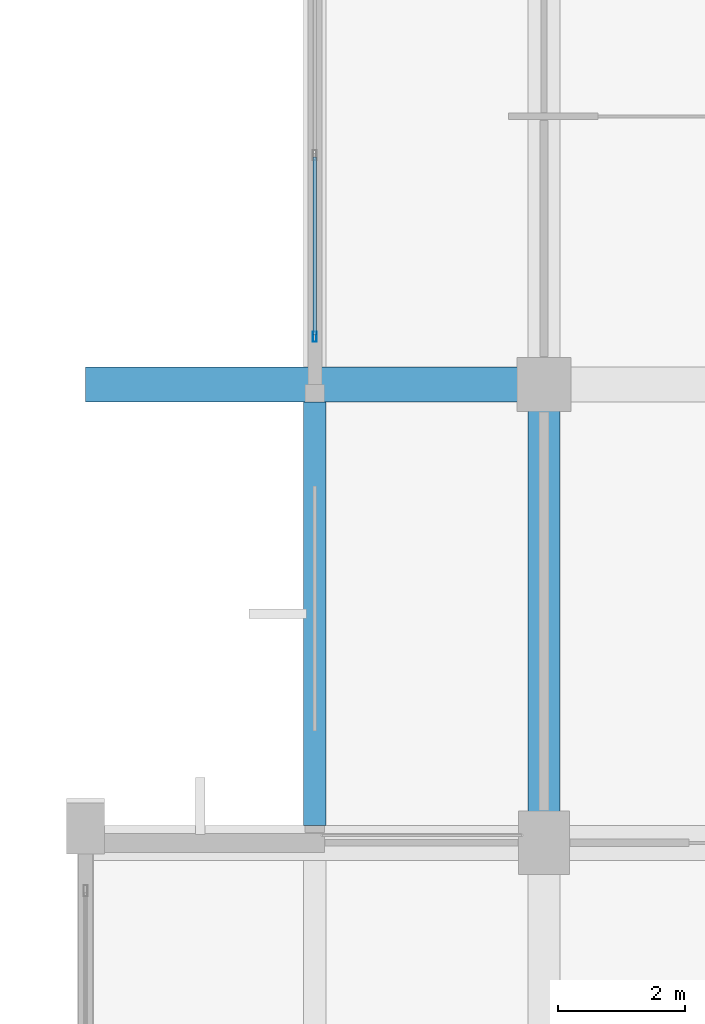
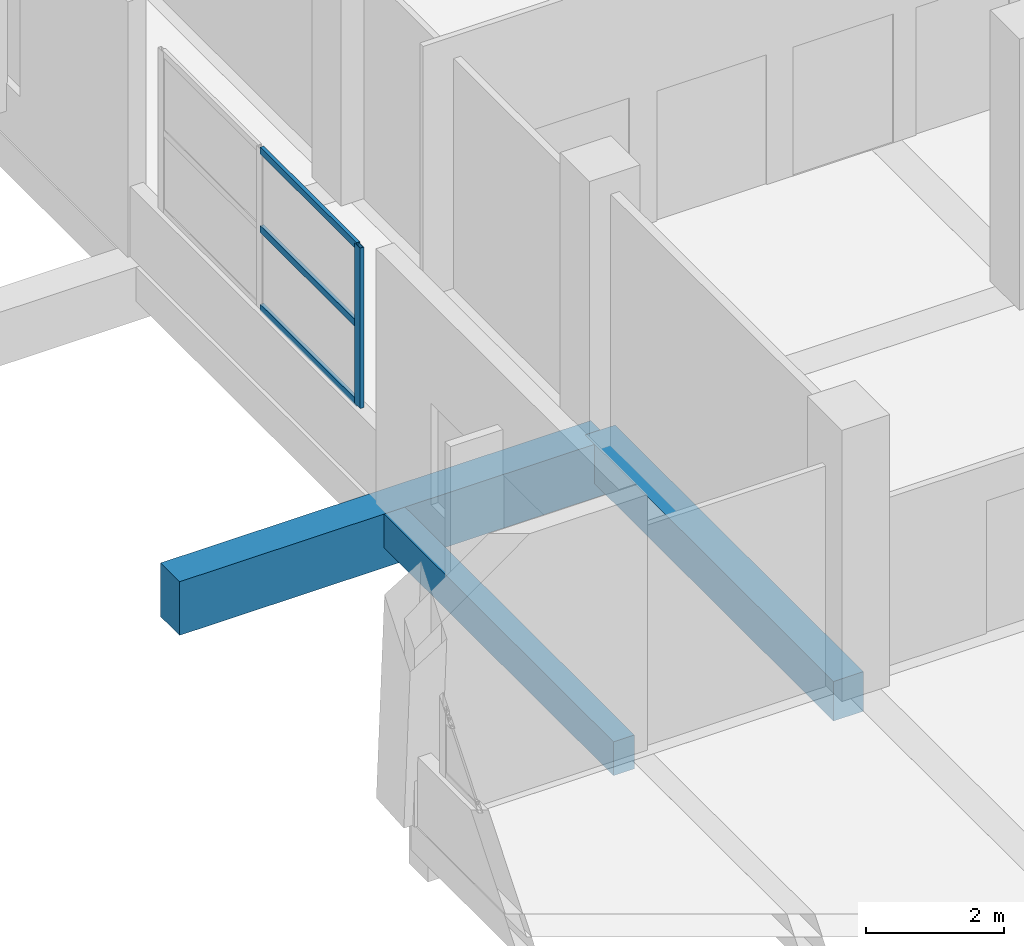
# One storey, part 15 of 181: 4 members, 3 beams, 1 element without a shape of its own.
"""IFC4 building model written with IfcOpenShell, lengths in metres."""

from ifc_helpers import new_model, si_unit, direction, frame, origin, origin_2d, place, context, subcontext, project, spatial, rectangle, hollow_rectangle, extrude, material, layer, layer_set, material_profile, profile_set, type_object, element, aggregate, save


model = new_model("IFC4")

# Units and contexts
model_context = context("Model", 3, precision=1e-05, world=origin(), true_north=direction((0.0, 1.0)))
body_context = subcontext(model_context, "Body", "Model", "MODEL_VIEW")
ifc_project = project(units=[si_unit("LENGTHUNIT", "METRE"), si_unit("AREAUNIT", "SQUARE_METRE"), si_unit("VOLUMEUNIT", "CUBIC_METRE"), si_unit("PLANEANGLEUNIT", "RADIAN"), si_unit("MASSUNIT", "GRAM", prefix="KILO")], contexts=[model_context])

# Site, building, storey
site_placement = place(None, origin())
site = spatial("IfcSite", under=ifc_project, at=site_placement, CompositionType="ELEMENT")
building_placement = place(site_placement, origin())
building = spatial("IfcBuilding", under=site, at=building_placement, Name="Seraya Terrace Polytechnic", CompositionType="ELEMENT")
storey_placement = place(building_placement, frame((0.0, 0.0, 4.800048828125)))
storey = spatial("IfcBuildingStorey", under=building, at=storey_placement, Name="L01", CompositionType="ELEMENT", Elevation=4.800048828125)

# Beams
ifc_material_1 = material(Name="Concrete C40/50", Category="concrete")
ifc_material_profile_1 = material_profile(ifc_material_1, rectangle(XDim=0.550048828125, YDim=0.949951171875, at=origin_2d()), Name="RC 550x950")
ifc_profile_set_1 = profile_set([ifc_material_profile_1], Name="Concrete C40/50")
beam_type_1 = type_object("IfcBeamType", Name="BM-03", PredefinedType="BEAM", material=ifc_profile_set_1)
beam_1_placement = place(storey_placement, frame((0.0, 36.0, -0.47509765625), z_axis=(1.0, 0.0, 0.0), x_axis=(0.0, 1.0, 0.0)))
element("IfcBeam", 1, at=beam_1_placement, inside=storey, type_object=beam_type_1, Name="Beam BM-03 L01 X (0.0..7.2, 36.0)", PredefinedType="BEAM", context=body_context, shape_type="SweptSolid", body=[
    extrude(rectangle(XDim=0.550048828125, YDim=0.949951171875, at=origin_2d()), origin(), (0.0, 0.0, 1.0), 7.199951171875),
])
ifc_material_profile_2 = material_profile(ifc_material_1, rectangle(XDim=0.5, YDim=0.699951171875, at=origin_2d()), Name="RC 500x700")
ifc_profile_set_2 = profile_set([ifc_material_profile_2], Name="Concrete C40/50")
beam_type_2 = type_object("IfcBeamType", Name="BM-07", PredefinedType="BEAM", material=ifc_profile_set_2)
beam_2_placement = place(storey_placement, frame((7.199951171875, 28.800048828125, -0.35009765625), z_axis=(0.0, 1.0, 0.0), x_axis=(-1.0, 0.0, 0.0)))
element("IfcBeam", 2, at=beam_2_placement, inside=storey, type_object=beam_type_2, Name="Beam BM-07 L01 Y (7.2, 28.8..36.0)", PredefinedType="BEAM", context=body_context, shape_type="SweptSolid", body=[
    extrude(rectangle(XDim=0.5, YDim=0.699951171875, at=origin_2d()), origin(), (0.0, 0.0, 1.0), 7.199951171875),
])

# Curtain wall, members
ifc_material_2 = material(Name="Anodised aluminium EN AW-6063 T6", Category="aluminium")
ifc_layer = layer(ifc_material_2, 0.179931640625, Name="CW-02")
ifc_layer_set = layer_set([ifc_layer], Name="Anodised aluminium EN AW-6063 T6")
curtain_wall_type = type_object("IfcCurtainWallType", Name="CW-02", PredefinedType="NOTDEFINED", material=ifc_layer_set)
curtain_wall_placement = place(storey_placement, origin())
curtain_wall = element("IfcCurtainWall", 3, at=curtain_wall_placement, inside=storey, type_object=curtain_wall_type, Name="Unitised curtain wall CW-02 (CW-L01-002)", PredefinedType="NOTDEFINED")
ifc_material_profile_3 = material_profile(ifc_material_2, hollow_rectangle(XDim=0.06005859375, YDim=0.159912109375, WallThickness=0.00341796875, at=origin_2d()), Name="RHS 160x60x3.5")
ifc_profile_set_3 = profile_set([ifc_material_profile_3], Name="Anodised aluminium EN AW-6063 T6")
member_type_1 = type_object("IfcMemberType", Name="CWM-02", PredefinedType="MULLION", material=ifc_profile_set_3)
member_1_placement = place(storey_placement, frame((3.60009765625, 36.75, 1.239990234375), z_axis=(0.0, 0.0, 1.0), x_axis=(-1.0, 0.0, 0.0)))
member_1 = element("IfcMember", 4, at=member_1_placement, type_object=member_type_1, Name="CW-02 mullion 1", PredefinedType="MULLION", context=body_context, shape_type="SweptSolid", body=[
    extrude(hollow_rectangle(XDim=0.06005859375, YDim=0.159912109375, WallThickness=0.00341796875, at=origin_2d()), origin(), (0.0, 0.0, 1.0), 2.83984375),
])
ifc_material_profile_4 = material_profile(ifc_material_2, hollow_rectangle(XDim=0.06005859375, YDim=0.1201171875, WallThickness=0.003173828125, at=origin_2d()), Name="RHS 120x60x3.2")
ifc_profile_set_4 = profile_set([ifc_material_profile_4], Name="Anodised aluminium EN AW-6063 T6")
member_type_2 = type_object("IfcMemberType", Name="CWT-02", PredefinedType="USERDEFINED", material=ifc_profile_set_4)
member_2_placement = place(storey_placement, frame((3.60009765625, 36.780029296875, 1.27001953125), z_axis=(0.0, 1.0, 0.0), x_axis=(-1.0, 0.0, 0.0)))
member_2 = element("IfcMember", 5, at=member_2_placement, type_object=member_type_2, Name="CW-02 transom 1.1", ObjectType="TRANSOM", PredefinedType="USERDEFINED", context=body_context, shape_type="SweptSolid", body=[
    extrude(hollow_rectangle(XDim=0.06005859375, YDim=0.1201171875, WallThickness=0.003173828125, at=origin_2d()), origin(), (0.0, 0.0, 1.0), 2.7900390625),
])
member_3_placement = place(storey_placement, frame((3.60009765625, 36.780029296875, 2.659912109375), z_axis=(0.0, 1.0, 0.0), x_axis=(-1.0, 0.0, 0.0)))
member_3 = element("IfcMember", 6, at=member_3_placement, type_object=member_type_2, Name="CW-02 transom 1.2", ObjectType="TRANSOM", PredefinedType="USERDEFINED", context=body_context, shape_type="SweptSolid", body=[
    extrude(hollow_rectangle(XDim=0.06005859375, YDim=0.1201171875, WallThickness=0.003173828125, at=origin_2d()), origin(), (0.0, 0.0, 1.0), 2.7900390625),
])
member_4_placement = place(storey_placement, frame((3.60009765625, 36.780029296875, 4.050048828125), z_axis=(0.0, 1.0, 0.0), x_axis=(-1.0, 0.0, 0.0)))
member_4 = element("IfcMember", 7, at=member_4_placement, type_object=member_type_2, Name="CW-02 transom 1.3", ObjectType="TRANSOM", PredefinedType="USERDEFINED", context=body_context, shape_type="SweptSolid", body=[
    extrude(hollow_rectangle(XDim=0.06005859375, YDim=0.1201171875, WallThickness=0.003173828125, at=origin_2d()), origin(), (0.0, 0.0, 1.0), 2.7900390625),
])
aggregate(curtain_wall, [member_1, member_2, member_3, member_4])

# Beam
ifc_material_profile_5 = material_profile(ifc_material_1, rectangle(XDim=0.35009765625, YDim=0.60009765625, at=origin_2d()), Name="RC 350x600")
ifc_profile_set_5 = profile_set([ifc_material_profile_5], Name="Concrete C40/50")
beam_type_3 = type_object("IfcBeamType", Name="JS-02", PredefinedType="JOIST", material=ifc_profile_set_5)
beam_3_placement = place(storey_placement, frame((3.60009765625, 29.074951171875, -0.300048828125), z_axis=(0.0, 1.0, 0.0), x_axis=(-1.0, 0.0, 0.0)))
element("IfcBeam", 8, at=beam_3_placement, inside=storey, type_object=beam_type_3, Name="Secondary joist JS-02 L01", PredefinedType="JOIST", context=body_context, shape_type="SweptSolid", body=[
    extrude(rectangle(XDim=0.35009765625, YDim=0.60009765625, at=origin_2d()), origin(), (0.0, 0.0, 1.0), 6.650146484375),
])

save(model, "model.ifc")
